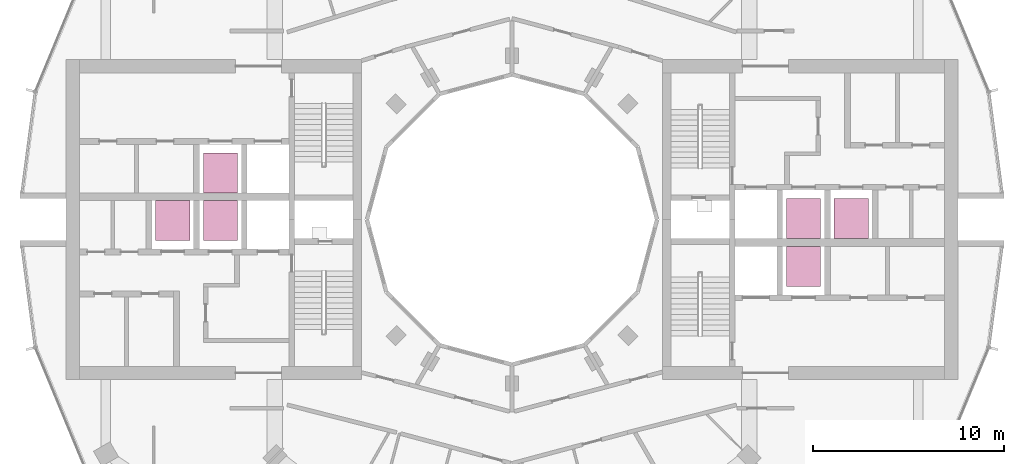
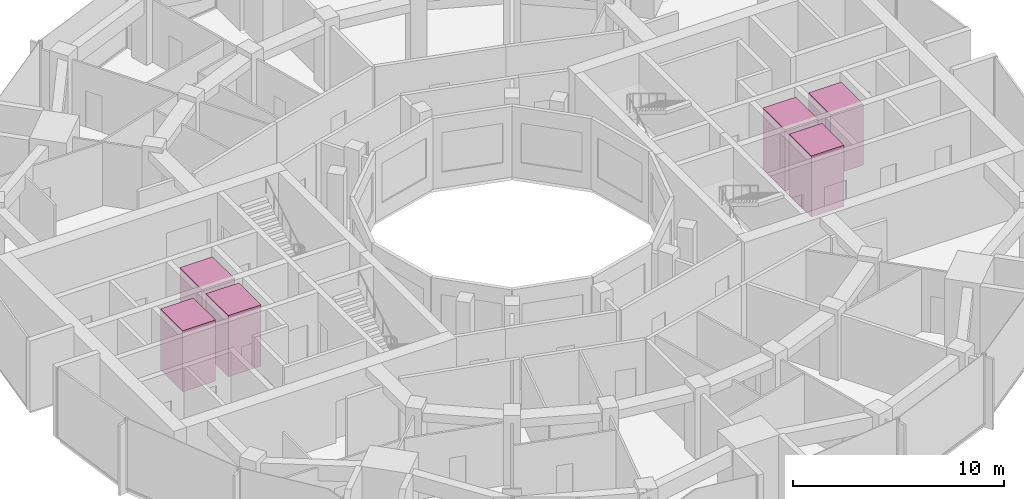
# One storey, part 15 of 15: 6 transport elements.
"""IFC4 building model written with IfcOpenShell, lengths in metres."""

import ifcopenshell
import ifcopenshell.guid

model = None  # the IFC model being written
_history = None  # IfcOwnerHistory: only IFC2X3 demands one
_inside = {}  # id of a spatial element -> (the spatial element, [elements in it])
_under = {}  # id of a project, library or spatial element -> (it, [spatial elements below it])
_declared = {}  # id of a project -> (the project, [libraries it declares])
_typed = {}  # id of a type object -> (the type object, [elements of that type])
_made_of = {}  # id of a material, layer set ... -> (it, [elements and type objects made of it])


def new_model(schema):
    """Start an empty IFC model of exactly this schema.

    Asked for "IFC4X3", IfcOpenShell would pick the latest addendum, in which some entities
    have other attributes; the version numbers below select the first issue.
    IFC2X3 requires an IfcOwnerHistory on every rooted entity: one is made here for all.
    """
    global model, _history
    if schema == "IFC4X3":
        model = ifcopenshell.file(schema_version=(4, 3, 0, 0))
    else:
        model = ifcopenshell.file(schema=schema)
    _inside.clear()
    _under.clear()
    _declared.clear()
    _typed.clear()
    _made_of.clear()
    _history = None
    if model.schema == "IFC2X3":
        org = make("IfcOrganization", Name="unknown")
        user = make(
            "IfcPersonAndOrganization",
            ThePerson=make("IfcPerson", FamilyName="unknown"),
            TheOrganization=org,
        )
        app = make(
            "IfcApplication",
            ApplicationDeveloper=org,
            Version="unknown",
            ApplicationFullName="unknown",
            ApplicationIdentifier="unknown",
        )
        _history = make(
            "IfcOwnerHistory",
            OwningUser=user,
            OwningApplication=app,
            ChangeAction="ADDED",
            CreationDate=0,
        )
    return model


def make(cls, **values):
    """One entity of the class cls with the attributes given. An attribute that is None is left unset."""
    return model.create_entity(
        cls, **{name: value for name, value in values.items() if value is not None}
    )


def rooted(cls, **values):
    """An entity with a GlobalId (a new one), such as an element, a storey or a relation."""
    return make(cls, GlobalId=ifcopenshell.guid.new(), OwnerHistory=_history, **values)


def si_unit(unit_type, name, prefix=None):
    """IfcSIUnit, for example si_unit("LENGTHUNIT", "METRE", prefix="MILLI")."""
    return make("IfcSIUnit", UnitType=unit_type, Prefix=prefix, Name=name)


def assignment(units):
    """IfcUnitAssignment: the units of a project."""
    return None if units is None else make("IfcUnitAssignment", Units=units)


def point(xyz):
    """IfcCartesianPoint."""
    return None if xyz is None else make("IfcCartesianPoint", Coordinates=xyz)


def direction(xyz):
    """IfcDirection."""
    return None if xyz is None else make("IfcDirection", DirectionRatios=xyz)


def frame(location, z_axis=None, x_axis=None):
    """IfcAxis2Placement3D, a coordinate frame: its origin and axes. An axis left out is left unset."""
    return make(
        "IfcAxis2Placement3D",
        Location=point(location),
        Axis=direction(z_axis),
        RefDirection=direction(x_axis),
    )


def frame_2d(location, x_axis=None):
    """IfcAxis2Placement2D, a coordinate frame in the plane: its origin and x axis."""
    return make(
        "IfcAxis2Placement2D", Location=point(location), RefDirection=direction(x_axis)
    )


def origin():
    """The frame at (0, 0, 0) with its axes left unset."""
    return frame((0.0, 0.0, 0.0))


def origin_2d():
    """The frame at (0, 0) in the plane with its x axis left unset."""
    return frame_2d((0.0, 0.0))


def place(relative_to, where):
    """IfcLocalPlacement: puts the frame where relative to a parent placement (None: the world)."""
    return make(
        "IfcLocalPlacement", PlacementRelTo=relative_to, RelativePlacement=where
    )


def context(
    kind, dimensions, precision=None, world=None, true_north=None, identifier=None
):
    """IfcGeometricRepresentationContext, for example the 3D "Model" context."""
    return make(
        "IfcGeometricRepresentationContext",
        ContextIdentifier=identifier,
        ContextType=kind,
        CoordinateSpaceDimension=dimensions,
        Precision=precision,
        WorldCoordinateSystem=world,
        TrueNorth=true_north,
    )


def subcontext(parent, identifier, kind, view, scale=None):
    """IfcGeometricRepresentationSubContext, for example "Body" below "Model"."""
    return make(
        "IfcGeometricRepresentationSubContext",
        ContextIdentifier=identifier,
        ContextType=kind,
        ParentContext=parent,
        TargetScale=scale,
        TargetView=view,
    )


def project(units=None, contexts=None):
    """IfcProject with its units and contexts."""
    return rooted(
        "IfcProject",
        Name="project",
        RepresentationContexts=contexts,
        UnitsInContext=assignment(units),
    )


def spatial(cls, under=None, at=None, **own):
    """A site, building, storey or space (cls), placed at a placement, below another one or the project."""
    s = rooted(cls, ObjectPlacement=at, **own)
    if under is not None:
        _under.setdefault(under.id(), (under, []))[1].append(s)
    return s


def profile(cls, at=None, kind="AREA", **sizes):
    """A parametric profile (cls). Its sizes go by their IFC names, for example OverallWidth=200.0."""
    return make(cls, ProfileType=kind, Position=at, **sizes)


def rectangle(**sizes):
    """IfcRectangleProfileDef."""
    return profile("IfcRectangleProfileDef", **sizes)


def extrude(swept, where, along, depth):
    """IfcExtrudedAreaSolid: the profile swept, set in the frame where, extruded along a direction by depth."""
    return make(
        "IfcExtrudedAreaSolid",
        SweptArea=swept,
        Position=where,
        ExtrudedDirection=direction(along),
        Depth=depth,
    )


def shape(context_of_items, identifier, shape_type, items):
    """IfcShapeRepresentation: the items that make up one representation, for example the "Body"."""
    return make(
        "IfcShapeRepresentation",
        ContextOfItems=context_of_items,
        RepresentationIdentifier=identifier,
        RepresentationType=shape_type,
        Items=items,
    )


def material(Name=None, Category=None):
    """IfcMaterial."""
    return make("IfcMaterial", Name=Name, Category=Category)


def made_of(thing, what):
    """Note that an element or type object is made of a material, layer set ...; save() writes the relation."""
    if what is not None:
        _made_of.setdefault(what.id(), (what, []))[1].append(thing)
    return thing


def type_object(cls, material=None, **own):
    """A type object (cls), such as IfcWallType, which elements share."""
    return made_of(rooted(cls, **own), material)


def element(
    cls,
    number,
    at=None,
    inside=None,
    cuts=None,
    type_object=None,
    material=None,
    context=None,
    identifier="Body",
    shape_type=None,
    held_by="IfcProductDefinitionShape",
    body=None,
    shapes=None,
    **own,
):
    """One element of the class cls, such as IfcWall. Its Tag is "e" and its number.

    at: its placement. inside: the storey or other place that contains it. cuts: it is an
    opening in that element (IfcRelVoidsElement). A single representation is given by context,
    identifier, shape_type and body (its items); several are given by shapes. held_by: the class
    of the entity that holds the representations. save() writes the other relations.
    """
    e = rooted(cls, Tag="e%d" % number, ObjectPlacement=at, **own)
    if body is not None:
        shapes = [shape(context, identifier, shape_type, body)]
    if shapes is not None:
        e.Representation = make(held_by, Representations=shapes)
    if inside is not None:
        _inside.setdefault(inside.id(), (inside, []))[1].append(e)
    if cuts is not None:
        rooted(
            "IfcRelVoidsElement", RelatingBuildingElement=cuts, RelatedOpeningElement=e
        )
    if type_object is not None:
        _typed.setdefault(type_object.id(), (type_object, []))[1].append(e)
    return made_of(e, material)


def aggregate(whole, parts):
    """IfcRelAggregates: a whole, such as a stair, and the parts it consists of."""
    return rooted("IfcRelAggregates", RelatingObject=whole, RelatedObjects=parts)


def save(model, path):
    """Write the relations noted so far, then the file.

    IfcRelAggregates (storeys below a building ...), IfcRelContainedInSpatialStructure (elements
    in a storey), IfcRelDefinesByType, IfcRelAssociatesMaterial and IfcRelDeclares: one each for
    every whole, place, type object, material and project.
    """
    for whole, parts in _under.values():
        aggregate(whole, parts)
    for where, things in _inside.values():
        rooted(
            "IfcRelContainedInSpatialStructure",
            RelatedElements=things,
            RelatingStructure=where,
        )
    for kind, things in _typed.values():
        rooted("IfcRelDefinesByType", RelatedObjects=things, RelatingType=kind)
    for what, things in _made_of.values():
        rooted("IfcRelAssociatesMaterial", RelatedObjects=things, RelatingMaterial=what)
    for by, libraries in _declared.values():
        rooted("IfcRelDeclares", RelatingContext=by, RelatedDefinitions=libraries)
    model.write(path)


model = new_model("IFC4")

# Units and contexts
model_context = context("Model", 3, precision=1e-05, world=origin(), true_north=direction((0.0, 1.0)))
body_context = subcontext(model_context, "Body", "Model", "MODEL_VIEW")
ifc_project = project(units=[si_unit("LENGTHUNIT", "METRE"), si_unit("AREAUNIT", "SQUARE_METRE"), si_unit("VOLUMEUNIT", "CUBIC_METRE"), si_unit("PLANEANGLEUNIT", "RADIAN"), si_unit("MASSUNIT", "GRAM", prefix="KILO")], contexts=[model_context])

# Site, building, storey
site_placement = place(None, origin())
site = spatial("IfcSite", under=ifc_project, at=site_placement, CompositionType="ELEMENT")
building_placement = place(site_placement, origin())
building = spatial("IfcBuilding", under=site, at=building_placement, Name="Torre Brocal", CompositionType="ELEMENT")
storey_placement = place(building_placement, frame((0.0, 0.0, 165.89990234375)))
storey = spatial("IfcBuildingStorey", under=building, at=storey_placement, Name="L38", CompositionType="ELEMENT", Elevation=165.89990234375)

# Transport elements
ifc_material = material(Name="Stainless steel AISI 316", Category="steel")
transport_element_type = type_object("IfcTransportElementType", Name="PASSENGER LIFT", PredefinedType="ELEVATOR", material=ifc_material)
for number, where, z_axis, x_axis, name in (
    (1, (95.300048828125, 75.050048828125, 0.0), (0.0, 0.0, 1.0), (1.0, 0.0, 0.0), "HIGH RISE LIFT E-HR1"),
    (2, (95.300048828125, 72.550048828125, 0.0), (0.0, 0.0, 1.0), (1.0, 0.0, 0.0), "HIGH RISE LIFT E-HR2"),
    (3, (97.800048828125, 75.050048828125, 0.0), (0.0, 0.0, 1.0), (1.0, 0.0, 0.0), "HIGH RISE LIFT E-HR3"),
    (4, (64.699951171875, 74.949951171875, 0.0), (0.0, 0.0, 1.0), (1.0, 0.0, 0.0), "HIGH RISE LIFT W-HR1"),
    (5, (64.699951171875, 77.449951171875, 0.0), (0.0, 0.0, 1.0), (1.0, 0.0, 0.0), "HIGH RISE LIFT W-HR2"),
    (6, (62.199951171875, 74.949951171875, 0.0), (0.0, 0.0, 1.0), (1.0, 0.0, 0.0), "HIGH RISE LIFT W-HR3"),
):
    element("IfcTransportElement", number, at=place(storey_placement, frame(where, z_axis=z_axis, x_axis=x_axis)), inside=storey, type_object=transport_element_type, Name=name, PredefinedType="ELEVATOR", context=body_context, shape_type="SweptSolid", body=[
        extrude(rectangle(XDim=1.800048828125, YDim=2.10009765625, at=origin_2d()), origin(), (0.0, 0.0, 1.0), 3.550048828125),
    ])

save(model, "model.ifc")
